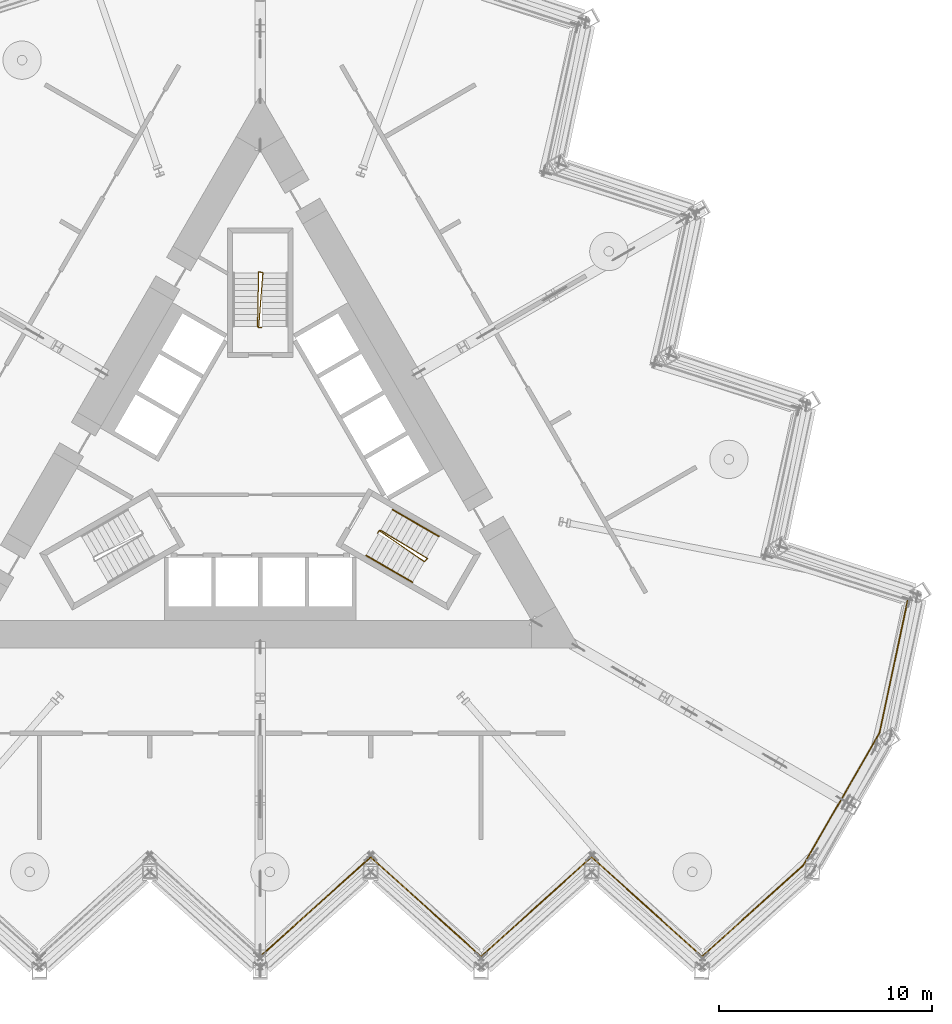
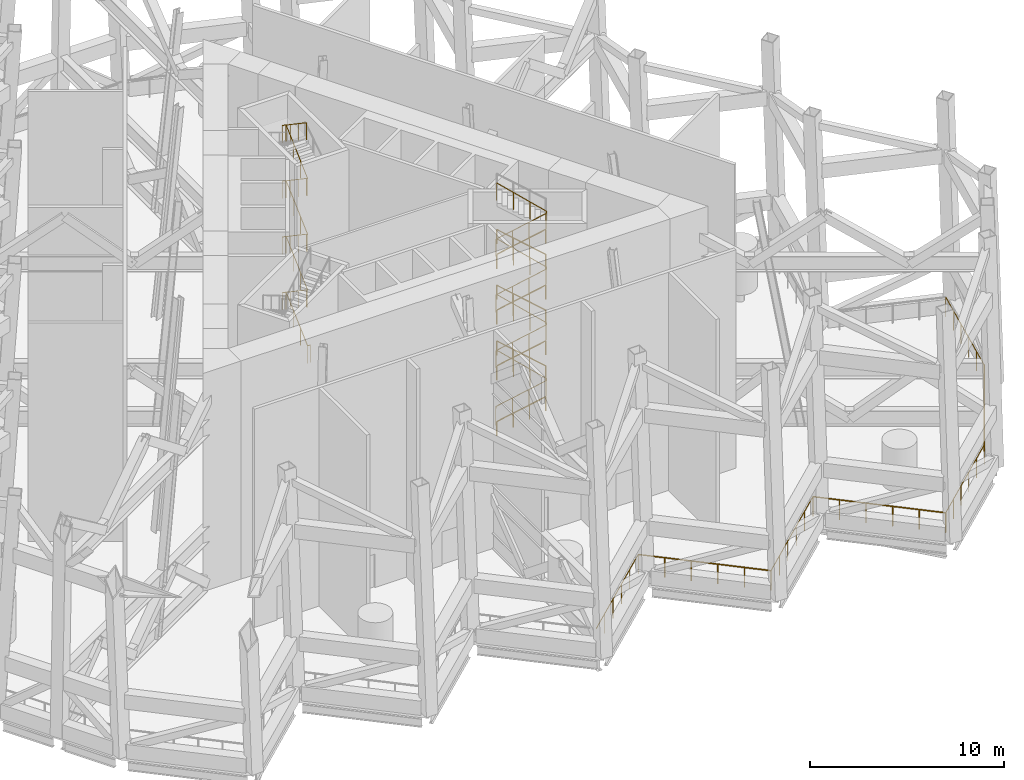
# One storey, part 17 of 19: 17 railings.
"""IFC4 building model written with IfcOpenShell, lengths in metres."""

from ifc_helpers import new_model, si_unit, direction, frame, origin, origin_2d, place, context, subcontext, project, spatial, circle, extrude, material, type_object, element, save


model = new_model("IFC4")

# Units and contexts
model_context = context("Model", 3, precision=1e-05, world=origin(), true_north=direction((0.0, 1.0)))
body_context = subcontext(model_context, "Body", "Model", "MODEL_VIEW")
ifc_project = project(units=[si_unit("LENGTHUNIT", "METRE"), si_unit("AREAUNIT", "SQUARE_METRE"), si_unit("VOLUMEUNIT", "CUBIC_METRE"), si_unit("PLANEANGLEUNIT", "RADIAN"), si_unit("MASSUNIT", "GRAM", prefix="KILO")], contexts=[model_context])

# Site, building, storey
site_placement = place(None, origin())
site = spatial("IfcSite", under=ifc_project, at=site_placement, CompositionType="ELEMENT")
building_placement = place(site_placement, origin())
building = spatial("IfcBuilding", under=site, at=building_placement, Name="Cormorant Prow Tower", CompositionType="ELEMENT")
storey_placement = place(building_placement, frame((0.0, 0.0, 287.800048828125)))
storey = spatial("IfcBuildingStorey", under=building, at=storey_placement, Name="L64", CompositionType="ELEMENT", Elevation=287.800048828125)

# Railings
ifc_material_1 = material(Name="Stainless steel", Category="steel")
railing_type_1 = type_object("IfcRailingType", Name="Stair guard 1100", PredefinedType="GUARDRAIL", material=ifc_material_1)
railing_1_placement = place(storey_placement, frame((5.510009765625, -3.267822265625, 0.0)))
element("IfcRailing", 1, at=railing_1_placement, inside=storey, type_object=railing_type_1, Name="L64 ST2 stair guard 1", PredefinedType="GUARDRAIL", context=body_context, shape_type="SweptSolid", body=[
    extrude(circle(Radius=0.02392578125, at=origin_2d()), frame((0.0, 0.0, 1.076171875), z_axis=(0.501036270542, 0.865426285481, 0.0), x_axis=(-0.865426285481, 0.501036270542, 0.0)), (0.0, 0.0, 1.0), 0.150146484375),
    extrude(circle(Radius=0.02392578125, at=origin_2d()), frame((0.0751953125, 0.1298828125, 1.076171875), z_axis=(0.682217615739, -0.468054883851, 0.561697205332), x_axis=(0.565732651216, 0.824588726183, 0.0)), (0.0, 0.0, 1.0), 3.115478515625),
    extrude(circle(Radius=0.02392578125, at=origin_2d()), frame((2.20068359375, -1.328369140625, 2.826171875), z_axis=(0.695164929852, 0.718850276695, 0.0), x_axis=(-0.718850276695, 0.695164929852, 0.0)), (0.0, 0.0, 1.0), 0.2060546875),
    extrude(circle(Radius=0.02392578125, at=origin_2d()), frame((2.343994140625, -1.18017578125, 2.826171875), z_axis=(-0.7076894686, 0.427173108348, 0.562759941305), x_axis=(-0.516770599887, -0.856123908726, 0.0)), (0.0, 0.0, 1.0), 3.109619140625),
    extrude(circle(Radius=0.02392578125, at=origin_2d()), frame((0.143310546875, 0.148193359375, 4.576171875), z_axis=(-0.965715946433, -0.259601060869, 0.0), x_axis=(0.259601060869, -0.965715946433, 0.0)), (0.0, 0.0, 1.0), 0.070556640625),
    extrude(circle(Radius=0.02392578125, at=origin_2d()), frame((0.0751953125, 0.1298828125, 4.576171875), z_axis=(0.682217615739, -0.468054883851, 0.561697205332), x_axis=(0.565732651216, 0.824588726183, 0.0)), (0.0, 0.0, 1.0), 3.115478515625),
    extrude(circle(Radius=0.02392578125, at=origin_2d()), frame((2.20068359375, -1.328369140625, 6.326171875), z_axis=(0.695164929852, 0.718850276695, 0.0), x_axis=(-0.718850276695, 0.695164929852, 0.0)), (0.0, 0.0, 1.0), 0.2060546875),
    extrude(circle(Radius=0.02392578125, at=origin_2d()), frame((2.343994140625, -1.18017578125, 6.326171875), z_axis=(-0.7076894686, 0.427173108348, 0.562759941305), x_axis=(-0.516770599887, -0.856123908726, 0.0)), (0.0, 0.0, 1.0), 3.109619140625),
    extrude(circle(Radius=0.02392578125, at=origin_2d()), frame((0.143310546875, 0.148193359375, 8.076171875), z_axis=(-0.965715946433, -0.259601060869, 0.0), x_axis=(0.259601060869, -0.965715946433, 0.0)), (0.0, 0.0, 1.0), 0.070556640625),
    extrude(circle(Radius=0.02392578125, at=origin_2d()), frame((0.0751953125, 0.1298828125, 8.076171875), z_axis=(0.682217615739, -0.468054883851, 0.561697205332), x_axis=(0.565732651216, 0.824588726183, 0.0)), (0.0, 0.0, 1.0), 3.115478515625),
    extrude(circle(Radius=0.02392578125, at=origin_2d()), frame((2.20068359375, -1.328369140625, 9.826171875), z_axis=(0.695164929852, 0.718850276695, 0.0), x_axis=(-0.718850276695, 0.695164929852, 0.0)), (0.0, 0.0, 1.0), 0.2060546875),
    extrude(circle(Radius=0.02392578125, at=origin_2d()), frame((2.343994140625, -1.18017578125, 9.826171875), z_axis=(-0.7076894686, 0.427173108348, 0.562759941305), x_axis=(-0.516770599887, -0.856123908726, 0.0)), (0.0, 0.0, 1.0), 3.109619140625),
    extrude(circle(Radius=0.02392578125, at=origin_2d()), frame((0.143310546875, 0.148193359375, 11.576171875), z_axis=(-0.965715946433, -0.259601060869, 0.0), x_axis=(0.259601060869, -0.965715946433, 0.0)), (0.0, 0.0, 1.0), 0.070556640625),
    extrude(circle(Radius=0.02392578125, at=origin_2d()), frame((0.0751953125, 0.1298828125, 11.576171875), z_axis=(0.682217615739, -0.468054883851, 0.561697205332), x_axis=(0.565732651216, 0.824588726183, 0.0)), (0.0, 0.0, 1.0), 3.115478515625),
    extrude(circle(Radius=0.02392578125, at=origin_2d()), frame((2.20068359375, -1.328369140625, 13.326171875), z_axis=(0.695164929852, 0.718850276695, 0.0), x_axis=(-0.718850276695, 0.695164929852, 0.0)), (0.0, 0.0, 1.0), 0.2060546875),
    extrude(circle(Radius=0.02392578125, at=origin_2d()), frame((2.343994140625, -1.18017578125, 13.326171875), z_axis=(-0.7076894686, 0.427173108348, 0.562759941305), x_axis=(-0.516770599887, -0.856123908726, 0.0)), (0.0, 0.0, 1.0), 3.109619140625),
    extrude(circle(Radius=0.02099609375, at=origin_2d()), origin(), (0.0, 0.0, 1.0), 1.052001953125),
    extrude(circle(Radius=0.02099609375, at=origin_2d()), frame((0.0751953125, 0.1298828125, 0.0)), (0.0, 0.0, 1.0), 1.052001953125),
    extrude(circle(Radius=0.02099609375, at=origin_2d()), frame((0.78369140625, -0.356201171875, 0.583251953125)), (0.0, 0.0, 1.0), 1.052001953125),
    extrude(circle(Radius=0.02099609375, at=origin_2d()), frame((1.4921875, -0.84228515625, 1.166748046875)), (0.0, 0.0, 1.0), 1.052001953125),
    extrude(circle(Radius=0.02099609375, at=origin_2d()), frame((2.20068359375, -1.328369140625, 1.75)), (0.0, 0.0, 1.0), 1.052001953125),
    extrude(circle(Radius=0.02099609375, at=origin_2d()), frame((2.343994140625, -1.18017578125, 1.75)), (0.0, 0.0, 1.0), 1.052001953125),
    extrude(circle(Radius=0.02099609375, at=origin_2d()), frame((1.6103515625, -0.7373046875, 2.333251953125)), (0.0, 0.0, 1.0), 1.052001953125),
    extrude(circle(Radius=0.02099609375, at=origin_2d()), frame((0.876953125, -0.294677734375, 2.916748046875)), (0.0, 0.0, 1.0), 1.052001953125),
    extrude(circle(Radius=0.02099609375, at=origin_2d()), frame((0.143310546875, 0.148193359375, 3.5)), (0.0, 0.0, 1.0), 1.052001953125),
    extrude(circle(Radius=0.02099609375, at=origin_2d()), frame((0.0751953125, 0.1298828125, 3.5)), (0.0, 0.0, 1.0), 1.052001953125),
    extrude(circle(Radius=0.02099609375, at=origin_2d()), frame((0.78369140625, -0.356201171875, 4.083251953125)), (0.0, 0.0, 1.0), 1.052001953125),
    extrude(circle(Radius=0.02099609375, at=origin_2d()), frame((1.4921875, -0.84228515625, 4.666748046875)), (0.0, 0.0, 1.0), 1.052001953125),
    extrude(circle(Radius=0.02099609375, at=origin_2d()), frame((2.20068359375, -1.328369140625, 5.25)), (0.0, 0.0, 1.0), 1.052001953125),
    extrude(circle(Radius=0.02099609375, at=origin_2d()), frame((2.343994140625, -1.18017578125, 5.25)), (0.0, 0.0, 1.0), 1.052001953125),
    extrude(circle(Radius=0.02099609375, at=origin_2d()), frame((1.6103515625, -0.7373046875, 5.833251953125)), (0.0, 0.0, 1.0), 1.052001953125),
    extrude(circle(Radius=0.02099609375, at=origin_2d()), frame((0.876953125, -0.294677734375, 6.416748046875)), (0.0, 0.0, 1.0), 1.052001953125),
    extrude(circle(Radius=0.02099609375, at=origin_2d()), frame((0.143310546875, 0.148193359375, 7.0)), (0.0, 0.0, 1.0), 1.052001953125),
    extrude(circle(Radius=0.02099609375, at=origin_2d()), frame((0.0751953125, 0.1298828125, 7.0)), (0.0, 0.0, 1.0), 1.052001953125),
    extrude(circle(Radius=0.02099609375, at=origin_2d()), frame((0.78369140625, -0.356201171875, 7.583251953125)), (0.0, 0.0, 1.0), 1.052001953125),
    extrude(circle(Radius=0.02099609375, at=origin_2d()), frame((1.4921875, -0.84228515625, 8.166748046875)), (0.0, 0.0, 1.0), 1.052001953125),
    extrude(circle(Radius=0.02099609375, at=origin_2d()), frame((2.20068359375, -1.328369140625, 8.75)), (0.0, 0.0, 1.0), 1.052001953125),
    extrude(circle(Radius=0.02099609375, at=origin_2d()), frame((2.343994140625, -1.18017578125, 8.75)), (0.0, 0.0, 1.0), 1.052001953125),
    extrude(circle(Radius=0.02099609375, at=origin_2d()), frame((1.6103515625, -0.7373046875, 9.333251953125)), (0.0, 0.0, 1.0), 1.052001953125),
    extrude(circle(Radius=0.02099609375, at=origin_2d()), frame((0.876953125, -0.294677734375, 9.916748046875)), (0.0, 0.0, 1.0), 1.052001953125),
    extrude(circle(Radius=0.02099609375, at=origin_2d()), frame((0.143310546875, 0.148193359375, 10.5)), (0.0, 0.0, 1.0), 1.052001953125),
    extrude(circle(Radius=0.02099609375, at=origin_2d()), frame((0.0751953125, 0.1298828125, 10.5)), (0.0, 0.0, 1.0), 1.052001953125),
    extrude(circle(Radius=0.02099609375, at=origin_2d()), frame((0.78369140625, -0.356201171875, 11.083251953125)), (0.0, 0.0, 1.0), 1.052001953125),
    extrude(circle(Radius=0.02099609375, at=origin_2d()), frame((1.4921875, -0.84228515625, 11.666748046875)), (0.0, 0.0, 1.0), 1.052001953125),
    extrude(circle(Radius=0.02099609375, at=origin_2d()), frame((2.20068359375, -1.328369140625, 12.25)), (0.0, 0.0, 1.0), 1.052001953125),
    extrude(circle(Radius=0.02099609375, at=origin_2d()), frame((2.343994140625, -1.18017578125, 12.25)), (0.0, 0.0, 1.0), 1.052001953125),
    extrude(circle(Radius=0.02099609375, at=origin_2d()), frame((1.6103515625, -0.7373046875, 12.833251953125)), (0.0, 0.0, 1.0), 1.052001953125),
    extrude(circle(Radius=0.02099609375, at=origin_2d()), frame((0.876953125, -0.294677734375, 13.416748046875)), (0.0, 0.0, 1.0), 1.052001953125),
    extrude(circle(Radius=0.02099609375, at=origin_2d()), frame((0.143310546875, 0.148193359375, 14.0)), (0.0, 0.0, 1.0), 1.052001953125),
])
railing_2_placement = place(storey_placement, frame((0.074951171875, 6.40576171875, 0.0)))
element("IfcRailing", 2, at=railing_2_placement, inside=storey, type_object=railing_type_1, Name="L64 ST3 stair guard 1", PredefinedType="GUARDRAIL", context=body_context, shape_type="SweptSolid", body=[
    extrude(circle(Radius=0.02392578125, at=origin_2d()), frame((0.0, 0.0, 1.076171875), z_axis=(-1.0, 0.0, 0.0), x_axis=(0.0, -1.0, 0.0)), (0.0, 0.0, 1.0), 0.14990234375),
    extrude(circle(Radius=0.02392578125, at=origin_2d()), frame((-0.14990234375, 0.0, 1.076171875), z_axis=(0.064174880426, 0.824870532658, 0.561667329542), x_axis=(-0.996987254287, 0.077565551559, 0.0)), (0.0, 0.0, 1.0), 3.11572265625),
    extrude(circle(Radius=0.02392578125, at=origin_2d()), frame((0.050048828125, 2.570068359375, 2.826171875), z_axis=(-0.970072785993, 0.242814311512, 0.0), x_axis=(-0.242814311512, -0.970072785993, 0.0)), (0.0, 0.0, 1.0), 0.2060546875),
    extrude(circle(Radius=0.02392578125, at=origin_2d()), frame((-0.14990234375, 2.6201171875, 2.826171875), z_axis=(-0.01609440485, -0.826467316365, 0.562754604702), x_axis=(0.999810440751, -0.019470042781, 0.0)), (0.0, 0.0, 1.0), 3.109619140625),
    extrude(circle(Radius=0.02392578125, at=origin_2d()), frame((-0.199951171875, 0.050048828125, 4.576171875), z_axis=(0.707106781187, -0.707106781187, 0.0), x_axis=(0.707106781187, 0.707106781187, 0.0)), (0.0, 0.0, 1.0), 0.07080078125),
    extrude(circle(Radius=0.02392578125, at=origin_2d()), frame((-0.14990234375, 0.0, 4.576171875), z_axis=(0.064174880426, 0.824870532658, 0.561667329542), x_axis=(-0.996987254287, 0.077565551559, 0.0)), (0.0, 0.0, 1.0), 3.11572265625),
    extrude(circle(Radius=0.02392578125, at=origin_2d()), frame((0.050048828125, 2.570068359375, 6.326171875), z_axis=(-0.970072785993, 0.242814311512, 0.0), x_axis=(-0.242814311512, -0.970072785993, 0.0)), (0.0, 0.0, 1.0), 0.2060546875),
    extrude(circle(Radius=0.02392578125, at=origin_2d()), frame((-0.14990234375, 2.6201171875, 6.326171875), z_axis=(-0.01609440485, -0.826467316365, 0.562754604702), x_axis=(0.999810440751, -0.019470042781, 0.0)), (0.0, 0.0, 1.0), 3.109619140625),
    extrude(circle(Radius=0.02392578125, at=origin_2d()), frame((-0.199951171875, 0.050048828125, 8.076171875), z_axis=(0.707106781187, -0.707106781187, 0.0), x_axis=(0.707106781187, 0.707106781187, 0.0)), (0.0, 0.0, 1.0), 0.07080078125),
    extrude(circle(Radius=0.02392578125, at=origin_2d()), frame((-0.14990234375, 0.0, 8.076171875), z_axis=(0.064174880426, 0.824870532658, 0.561667329542), x_axis=(-0.996987254287, 0.077565551559, 0.0)), (0.0, 0.0, 1.0), 3.11572265625),
    extrude(circle(Radius=0.02392578125, at=origin_2d()), frame((0.050048828125, 2.570068359375, 9.826171875), z_axis=(-0.970072785993, 0.242814311512, 0.0), x_axis=(-0.242814311512, -0.970072785993, 0.0)), (0.0, 0.0, 1.0), 0.2060546875),
    extrude(circle(Radius=0.02392578125, at=origin_2d()), frame((-0.14990234375, 2.6201171875, 9.826171875), z_axis=(-0.01609440485, -0.826467316365, 0.562754604702), x_axis=(0.999810440751, -0.019470042781, 0.0)), (0.0, 0.0, 1.0), 3.109619140625),
    extrude(circle(Radius=0.02392578125, at=origin_2d()), frame((-0.199951171875, 0.050048828125, 11.576171875), z_axis=(0.707106781187, -0.707106781187, 0.0), x_axis=(0.707106781187, 0.707106781187, 0.0)), (0.0, 0.0, 1.0), 0.07080078125),
    extrude(circle(Radius=0.02392578125, at=origin_2d()), frame((-0.14990234375, 0.0, 11.576171875), z_axis=(0.064174880426, 0.824870532658, 0.561667329542), x_axis=(-0.996987254287, 0.077565551559, 0.0)), (0.0, 0.0, 1.0), 3.11572265625),
    extrude(circle(Radius=0.02392578125, at=origin_2d()), frame((0.050048828125, 2.570068359375, 13.326171875), z_axis=(-0.970072785993, 0.242814311512, 0.0), x_axis=(-0.242814311512, -0.970072785993, 0.0)), (0.0, 0.0, 1.0), 0.2060546875),
    extrude(circle(Radius=0.02392578125, at=origin_2d()), frame((-0.14990234375, 2.6201171875, 13.326171875), z_axis=(-0.01609440485, -0.826467316365, 0.562754604702), x_axis=(0.999810440751, -0.019470042781, 0.0)), (0.0, 0.0, 1.0), 3.109619140625),
    extrude(circle(Radius=0.02099609375, at=origin_2d()), origin(), (0.0, 0.0, 1.0), 1.052001953125),
    extrude(circle(Radius=0.02099609375, at=origin_2d()), frame((-0.14990234375, 0.0, 0.0)), (0.0, 0.0, 1.0), 1.052001953125),
    extrude(circle(Radius=0.02099609375, at=origin_2d()), frame((-0.083251953125, 0.856689453125, 0.583251953125)), (0.0, 0.0, 1.0), 1.052001953125),
    extrude(circle(Radius=0.02099609375, at=origin_2d()), frame((-0.0166015625, 1.71337890625, 1.166748046875)), (0.0, 0.0, 1.0), 1.052001953125),
    extrude(circle(Radius=0.02099609375, at=origin_2d()), frame((0.050048828125, 2.570068359375, 1.75)), (0.0, 0.0, 1.0), 1.052001953125),
    extrude(circle(Radius=0.02099609375, at=origin_2d()), frame((-0.14990234375, 2.6201171875, 1.75)), (0.0, 0.0, 1.0), 1.052001953125),
    extrude(circle(Radius=0.02099609375, at=origin_2d()), frame((-0.16650390625, 1.763427734375, 2.333251953125)), (0.0, 0.0, 1.0), 1.052001953125),
    extrude(circle(Radius=0.02099609375, at=origin_2d()), frame((-0.183349609375, 0.90673828125, 2.916748046875)), (0.0, 0.0, 1.0), 1.052001953125),
    extrude(circle(Radius=0.02099609375, at=origin_2d()), frame((-0.199951171875, 0.050048828125, 3.5)), (0.0, 0.0, 1.0), 1.052001953125),
    extrude(circle(Radius=0.02099609375, at=origin_2d()), frame((-0.14990234375, 0.0, 3.5)), (0.0, 0.0, 1.0), 1.052001953125),
    extrude(circle(Radius=0.02099609375, at=origin_2d()), frame((-0.083251953125, 0.856689453125, 4.083251953125)), (0.0, 0.0, 1.0), 1.052001953125),
    extrude(circle(Radius=0.02099609375, at=origin_2d()), frame((-0.0166015625, 1.71337890625, 4.666748046875)), (0.0, 0.0, 1.0), 1.052001953125),
    extrude(circle(Radius=0.02099609375, at=origin_2d()), frame((0.050048828125, 2.570068359375, 5.25)), (0.0, 0.0, 1.0), 1.052001953125),
    extrude(circle(Radius=0.02099609375, at=origin_2d()), frame((-0.14990234375, 2.6201171875, 5.25)), (0.0, 0.0, 1.0), 1.052001953125),
    extrude(circle(Radius=0.02099609375, at=origin_2d()), frame((-0.16650390625, 1.763427734375, 5.833251953125)), (0.0, 0.0, 1.0), 1.052001953125),
    extrude(circle(Radius=0.02099609375, at=origin_2d()), frame((-0.183349609375, 0.90673828125, 6.416748046875)), (0.0, 0.0, 1.0), 1.052001953125),
    extrude(circle(Radius=0.02099609375, at=origin_2d()), frame((-0.199951171875, 0.050048828125, 7.0)), (0.0, 0.0, 1.0), 1.052001953125),
    extrude(circle(Radius=0.02099609375, at=origin_2d()), frame((-0.14990234375, 0.0, 7.0)), (0.0, 0.0, 1.0), 1.052001953125),
    extrude(circle(Radius=0.02099609375, at=origin_2d()), frame((-0.083251953125, 0.856689453125, 7.583251953125)), (0.0, 0.0, 1.0), 1.052001953125),
    extrude(circle(Radius=0.02099609375, at=origin_2d()), frame((-0.0166015625, 1.71337890625, 8.166748046875)), (0.0, 0.0, 1.0), 1.052001953125),
    extrude(circle(Radius=0.02099609375, at=origin_2d()), frame((0.050048828125, 2.570068359375, 8.75)), (0.0, 0.0, 1.0), 1.052001953125),
    extrude(circle(Radius=0.02099609375, at=origin_2d()), frame((-0.14990234375, 2.6201171875, 8.75)), (0.0, 0.0, 1.0), 1.052001953125),
    extrude(circle(Radius=0.02099609375, at=origin_2d()), frame((-0.16650390625, 1.763427734375, 9.333251953125)), (0.0, 0.0, 1.0), 1.052001953125),
    extrude(circle(Radius=0.02099609375, at=origin_2d()), frame((-0.183349609375, 0.90673828125, 9.916748046875)), (0.0, 0.0, 1.0), 1.052001953125),
    extrude(circle(Radius=0.02099609375, at=origin_2d()), frame((-0.199951171875, 0.050048828125, 10.5)), (0.0, 0.0, 1.0), 1.052001953125),
    extrude(circle(Radius=0.02099609375, at=origin_2d()), frame((-0.14990234375, 0.0, 10.5)), (0.0, 0.0, 1.0), 1.052001953125),
    extrude(circle(Radius=0.02099609375, at=origin_2d()), frame((-0.083251953125, 0.856689453125, 11.083251953125)), (0.0, 0.0, 1.0), 1.052001953125),
    extrude(circle(Radius=0.02099609375, at=origin_2d()), frame((-0.0166015625, 1.71337890625, 11.666748046875)), (0.0, 0.0, 1.0), 1.052001953125),
    extrude(circle(Radius=0.02099609375, at=origin_2d()), frame((0.050048828125, 2.570068359375, 12.25)), (0.0, 0.0, 1.0), 1.052001953125),
    extrude(circle(Radius=0.02099609375, at=origin_2d()), frame((-0.14990234375, 2.6201171875, 12.25)), (0.0, 0.0, 1.0), 1.052001953125),
    extrude(circle(Radius=0.02099609375, at=origin_2d()), frame((-0.16650390625, 1.763427734375, 12.833251953125)), (0.0, 0.0, 1.0), 1.052001953125),
    extrude(circle(Radius=0.02099609375, at=origin_2d()), frame((-0.183349609375, 0.90673828125, 13.416748046875)), (0.0, 0.0, 1.0), 1.052001953125),
    extrude(circle(Radius=0.02099609375, at=origin_2d()), frame((-0.199951171875, 0.050048828125, 14.0)), (0.0, 0.0, 1.0), 1.052001953125),
])
ifc_material_2 = material(Name="Stainless steel", Category="steel")
railing_type_2 = type_object("IfcRailingType", Name="Stair handrail 900", PredefinedType="HANDRAIL", material=ifc_material_2)
railing_3_placement = place(storey_placement, frame((4.968994140625, -4.30517578125, 0.175048828125)))
element("IfcRailing", 3, at=railing_3_placement, inside=storey, type_object=railing_type_2, Name="L64 ST2 stair handrail 1", PredefinedType="HANDRAIL", context=body_context, shape_type="SweptSolid", body=[
    extrude(circle(Radius=0.02392578125, at=origin_2d()), frame((0.0, 0.0, 0.8759765625), z_axis=(0.73439174503, -0.42400668935, 0.529987822708), x_axis=(0.500004791531, 0.866022637375, 0.0)), (0.0, 0.0, 1.0), 2.9716796875),
    extrude(circle(Radius=0.02099609375, at=origin_2d()), origin(), (0.0, 0.0, 1.0), 0.851806640625),
    extrude(circle(Radius=0.02099609375, at=origin_2d()), frame((0.7275390625, -0.419921875, 0.52490234375)), (0.0, 0.0, 1.0), 0.851806640625),
    extrude(circle(Radius=0.02099609375, at=origin_2d()), frame((1.454833984375, -0.840087890625, 1.050048828125)), (0.0, 0.0, 1.0), 0.851806640625),
    extrude(circle(Radius=0.02099609375, at=origin_2d()), frame((2.182373046875, -1.260009765625, 1.574951171875)), (0.0, 0.0, 1.0), 0.851806640625),
])
railing_4_placement = place(storey_placement, frame((8.395263671875, -3.41064453125, 1.925048828125)))
element("IfcRailing", 4, at=railing_4_placement, inside=storey, type_object=railing_type_2, Name="L64 ST2 stair handrail 2", PredefinedType="HANDRAIL", context=body_context, shape_type="SweptSolid", body=[
    extrude(circle(Radius=0.02392578125, at=origin_2d()), frame((0.0, 0.0, 0.8759765625), z_axis=(-0.73439174503, 0.42400668935, 0.529987822708), x_axis=(-0.500004791531, -0.866022637375, 0.0)), (0.0, 0.0, 1.0), 2.9716796875),
    extrude(circle(Radius=0.02099609375, at=origin_2d()), origin(), (0.0, 0.0, 1.0), 0.851806640625),
    extrude(circle(Radius=0.02099609375, at=origin_2d()), frame((-0.7275390625, 0.419921875, 0.52490234375)), (0.0, 0.0, 1.0), 0.851806640625),
    extrude(circle(Radius=0.02099609375, at=origin_2d()), frame((-1.454833984375, 0.840087890625, 1.050048828125)), (0.0, 0.0, 1.0), 0.851806640625),
    extrude(circle(Radius=0.02099609375, at=origin_2d()), frame((-2.182373046875, 1.260009765625, 1.574951171875)), (0.0, 0.0, 1.0), 0.851806640625),
])
railing_5_placement = place(storey_placement, frame((4.968994140625, -4.30517578125, 3.675048828125)))
element("IfcRailing", 5, at=railing_5_placement, inside=storey, type_object=railing_type_2, Name="L64 ST2 stair handrail 3", PredefinedType="HANDRAIL", context=body_context, shape_type="SweptSolid", body=[
    extrude(circle(Radius=0.02392578125, at=origin_2d()), frame((0.0, 0.0, 0.8759765625), z_axis=(0.73439174503, -0.42400668935, 0.529987822708), x_axis=(0.500004791531, 0.866022637375, 0.0)), (0.0, 0.0, 1.0), 2.9716796875),
    extrude(circle(Radius=0.02099609375, at=origin_2d()), origin(), (0.0, 0.0, 1.0), 0.851806640625),
    extrude(circle(Radius=0.02099609375, at=origin_2d()), frame((0.7275390625, -0.419921875, 0.52490234375)), (0.0, 0.0, 1.0), 0.851806640625),
    extrude(circle(Radius=0.02099609375, at=origin_2d()), frame((1.454833984375, -0.840087890625, 1.050048828125)), (0.0, 0.0, 1.0), 0.851806640625),
    extrude(circle(Radius=0.02099609375, at=origin_2d()), frame((2.182373046875, -1.260009765625, 1.574951171875)), (0.0, 0.0, 1.0), 0.851806640625),
])
railing_6_placement = place(storey_placement, frame((8.395263671875, -3.41064453125, 5.425048828125)))
element("IfcRailing", 6, at=railing_6_placement, inside=storey, type_object=railing_type_2, Name="L64 ST2 stair handrail 4", PredefinedType="HANDRAIL", context=body_context, shape_type="SweptSolid", body=[
    extrude(circle(Radius=0.02392578125, at=origin_2d()), frame((0.0, 0.0, 0.8759765625), z_axis=(-0.73439174503, 0.42400668935, 0.529987822708), x_axis=(-0.500004791531, -0.866022637375, 0.0)), (0.0, 0.0, 1.0), 2.9716796875),
    extrude(circle(Radius=0.02099609375, at=origin_2d()), origin(), (0.0, 0.0, 1.0), 0.851806640625),
    extrude(circle(Radius=0.02099609375, at=origin_2d()), frame((-0.7275390625, 0.419921875, 0.52490234375)), (0.0, 0.0, 1.0), 0.851806640625),
    extrude(circle(Radius=0.02099609375, at=origin_2d()), frame((-1.454833984375, 0.840087890625, 1.050048828125)), (0.0, 0.0, 1.0), 0.851806640625),
    extrude(circle(Radius=0.02099609375, at=origin_2d()), frame((-2.182373046875, 1.260009765625, 1.574951171875)), (0.0, 0.0, 1.0), 0.851806640625),
])
railing_7_placement = place(storey_placement, frame((4.968994140625, -4.30517578125, 7.175048828125)))
element("IfcRailing", 7, at=railing_7_placement, inside=storey, type_object=railing_type_2, Name="L64 ST2 stair handrail 5", PredefinedType="HANDRAIL", context=body_context, shape_type="SweptSolid", body=[
    extrude(circle(Radius=0.02392578125, at=origin_2d()), frame((0.0, 0.0, 0.8759765625), z_axis=(0.73439174503, -0.42400668935, 0.529987822708), x_axis=(0.500004791531, 0.866022637375, 0.0)), (0.0, 0.0, 1.0), 2.9716796875),
    extrude(circle(Radius=0.02099609375, at=origin_2d()), origin(), (0.0, 0.0, 1.0), 0.851806640625),
    extrude(circle(Radius=0.02099609375, at=origin_2d()), frame((0.7275390625, -0.419921875, 0.52490234375)), (0.0, 0.0, 1.0), 0.851806640625),
    extrude(circle(Radius=0.02099609375, at=origin_2d()), frame((1.454833984375, -0.840087890625, 1.050048828125)), (0.0, 0.0, 1.0), 0.851806640625),
    extrude(circle(Radius=0.02099609375, at=origin_2d()), frame((2.182373046875, -1.260009765625, 1.574951171875)), (0.0, 0.0, 1.0), 0.851806640625),
])
railing_8_placement = place(storey_placement, frame((8.395263671875, -3.41064453125, 8.925048828125)))
element("IfcRailing", 8, at=railing_8_placement, inside=storey, type_object=railing_type_2, Name="L64 ST2 stair handrail 6", PredefinedType="HANDRAIL", context=body_context, shape_type="SweptSolid", body=[
    extrude(circle(Radius=0.02392578125, at=origin_2d()), frame((0.0, 0.0, 0.8759765625), z_axis=(-0.73439174503, 0.42400668935, 0.529987822708), x_axis=(-0.500004791531, -0.866022637375, 0.0)), (0.0, 0.0, 1.0), 2.9716796875),
    extrude(circle(Radius=0.02099609375, at=origin_2d()), origin(), (0.0, 0.0, 1.0), 0.851806640625),
    extrude(circle(Radius=0.02099609375, at=origin_2d()), frame((-0.7275390625, 0.419921875, 0.52490234375)), (0.0, 0.0, 1.0), 0.851806640625),
    extrude(circle(Radius=0.02099609375, at=origin_2d()), frame((-1.454833984375, 0.840087890625, 1.050048828125)), (0.0, 0.0, 1.0), 0.851806640625),
    extrude(circle(Radius=0.02099609375, at=origin_2d()), frame((-2.182373046875, 1.260009765625, 1.574951171875)), (0.0, 0.0, 1.0), 0.851806640625),
])
railing_9_placement = place(storey_placement, frame((4.968994140625, -4.30517578125, 10.675048828125)))
element("IfcRailing", 9, at=railing_9_placement, inside=storey, type_object=railing_type_2, Name="L64 ST2 stair handrail 7", PredefinedType="HANDRAIL", context=body_context, shape_type="SweptSolid", body=[
    extrude(circle(Radius=0.02392578125, at=origin_2d()), frame((0.0, 0.0, 0.8759765625), z_axis=(0.73439174503, -0.42400668935, 0.529987822708), x_axis=(0.500004791531, 0.866022637375, 0.0)), (0.0, 0.0, 1.0), 2.9716796875),
    extrude(circle(Radius=0.02099609375, at=origin_2d()), origin(), (0.0, 0.0, 1.0), 0.851806640625),
    extrude(circle(Radius=0.02099609375, at=origin_2d()), frame((0.7275390625, -0.419921875, 0.52490234375)), (0.0, 0.0, 1.0), 0.851806640625),
    extrude(circle(Radius=0.02099609375, at=origin_2d()), frame((1.454833984375, -0.840087890625, 1.050048828125)), (0.0, 0.0, 1.0), 0.851806640625),
    extrude(circle(Radius=0.02099609375, at=origin_2d()), frame((2.182373046875, -1.260009765625, 1.574951171875)), (0.0, 0.0, 1.0), 0.851806640625),
])
ifc_material_3 = material(Name="Aluminium 6063-T6", Category="aluminium")
railing_type_3 = type_object("IfcRailingType", Name="Wind deck guard 1250", PredefinedType="GUARDRAIL", material=ifc_material_3)
railing_10_placement = place(storey_placement, frame((30.422119140625, -6.399169921875, 0.0)))
element("IfcRailing", 10, at=railing_10_placement, inside=storey, type_object=railing_type_3, Name="Wind deck edge guard 23", PredefinedType="GUARDRAIL", context=body_context, shape_type="SweptSolid", body=[
    extrude(circle(Radius=0.02392578125, at=origin_2d()), frame((0.0, 0.0, 1.22607421875), z_axis=(-0.207892521926, -0.978151675011, 0.0), x_axis=(0.978151675011, -0.207892521926, 0.0)), (0.0, 0.0, 1.0), 6.399169921875),
    extrude(circle(Radius=0.02099609375, at=origin_2d()), origin(), (0.0, 0.0, 1.0), 1.201904296875),
    extrude(circle(Radius=0.02099609375, at=origin_2d()), frame((-0.26611328125, -1.251953125, 0.0)), (0.0, 0.0, 1.0), 1.201904296875),
    extrude(circle(Radius=0.02099609375, at=origin_2d()), frame((-0.5322265625, -2.503662109375, 0.0)), (0.0, 0.0, 1.0), 1.201904296875),
    extrude(circle(Radius=0.02099609375, at=origin_2d()), frame((-0.798095703125, -3.755615234375, 0.0)), (0.0, 0.0, 1.0), 1.201904296875),
    extrude(circle(Radius=0.02099609375, at=origin_2d()), frame((-1.064208984375, -5.00732421875, 0.0)), (0.0, 0.0, 1.0), 1.201904296875),
])
for number, where, name in (
    (11, (29.091796875, -12.658447265625, 0.0), "Wind deck edge guard 24"),
    (12, (27.300048828125, -15.76171875, 0.0), "Wind deck edge guard 25"),
):
    element("IfcRailing", number, at=place(storey_placement, frame(where)), inside=storey, type_object=railing_type_3, Name=name, PredefinedType="GUARDRAIL", context=body_context, shape_type="SweptSolid", body=[
        extrude(circle(Radius=0.02392578125, at=origin_2d()), frame((0.0, 0.0, 1.22607421875), z_axis=(-0.500015366673, -0.86601653165, 0.0), x_axis=(0.86601653165, -0.500015366673, 0.0)), (0.0, 0.0, 1.0), 3.58349609375),
        extrude(circle(Radius=0.02099609375, at=origin_2d()), origin(), (0.0, 0.0, 1.0), 1.201904296875),
        extrude(circle(Radius=0.02099609375, at=origin_2d()), frame((-0.59716796875, -1.034423828125, 0.0)), (0.0, 0.0, 1.0), 1.201904296875),
        extrude(circle(Radius=0.02099609375, at=origin_2d()), frame((-1.194580078125, -2.06884765625, 0.0)), (0.0, 0.0, 1.0), 1.201904296875),
    ])
railing_11_placement = place(storey_placement, frame((25.50830078125, -18.864990234375, 0.0)))
element("IfcRailing", 13, at=railing_11_placement, inside=storey, type_object=railing_type_3, Name="Wind deck edge guard 26", PredefinedType="GUARDRAIL", context=body_context, shape_type="SweptSolid", body=[
    extrude(circle(Radius=0.02392578125, at=origin_2d()), frame((0.0, 0.0, 1.22607421875), z_axis=(-0.743146153042, -0.669129131946, 0.0), x_axis=(0.669129131946, -0.743146153042, 0.0)), (0.0, 0.0, 1.0), 6.39892578125),
    extrude(circle(Radius=0.02099609375, at=origin_2d()), origin(), (0.0, 0.0, 1.0), 1.201904296875),
    extrude(circle(Radius=0.02099609375, at=origin_2d()), frame((-0.951171875, -0.8564453125, 0.0)), (0.0, 0.0, 1.0), 1.201904296875),
    extrude(circle(Radius=0.02099609375, at=origin_2d()), frame((-1.902099609375, -1.712646484375, 0.0)), (0.0, 0.0, 1.0), 1.201904296875),
    extrude(circle(Radius=0.02099609375, at=origin_2d()), frame((-2.853271484375, -2.569091796875, 0.0)), (0.0, 0.0, 1.0), 1.201904296875),
    extrude(circle(Radius=0.02099609375, at=origin_2d()), frame((-3.80419921875, -3.42529296875, 0.0)), (0.0, 0.0, 1.0), 1.201904296875),
])
railing_12_placement = place(storey_placement, frame((20.7529296875, -23.146728515625, 0.0)))
element("IfcRailing", 14, at=railing_12_placement, inside=storey, type_object=railing_type_3, Name="Wind deck edge guard 27", PredefinedType="GUARDRAIL", context=body_context, shape_type="SweptSolid", body=[
    extrude(circle(Radius=0.02392578125, at=origin_2d()), frame((0.0, 0.0, 1.22607421875), z_axis=(-0.743153282649, 0.669121213599, 0.0), x_axis=(-0.669121213599, -0.743153282649, 0.0)), (0.0, 0.0, 1.0), 6.9814453125),
    extrude(circle(Radius=0.02099609375, at=origin_2d()), origin(), (0.0, 0.0, 1.0), 1.201904296875),
    extrude(circle(Radius=0.02099609375, at=origin_2d()), frame((-1.03759765625, 0.934326171875, 0.0)), (0.0, 0.0, 1.0), 1.201904296875),
    extrude(circle(Radius=0.02099609375, at=origin_2d()), frame((-2.0751953125, 1.86865234375, 0.0)), (0.0, 0.0, 1.0), 1.201904296875),
    extrude(circle(Radius=0.02099609375, at=origin_2d()), frame((-3.113037109375, 2.802734375, 0.0)), (0.0, 0.0, 1.0), 1.201904296875),
    extrude(circle(Radius=0.02099609375, at=origin_2d()), frame((-4.150634765625, 3.737060546875, 0.0)), (0.0, 0.0, 1.0), 1.201904296875),
])
railing_13_placement = place(storey_placement, frame((15.564697265625, -18.475341796875, 0.0)))
element("IfcRailing", 15, at=railing_13_placement, inside=storey, type_object=railing_type_3, Name="Wind deck edge guard 28", PredefinedType="GUARDRAIL", context=body_context, shape_type="SweptSolid", body=[
    extrude(circle(Radius=0.02392578125, at=origin_2d()), frame((0.0, 0.0, 1.22607421875), z_axis=(-0.743153282649, -0.669121213599, 0.0), x_axis=(0.669121213599, -0.743153282649, 0.0)), (0.0, 0.0, 1.0), 6.9814453125),
    extrude(circle(Radius=0.02099609375, at=origin_2d()), origin(), (0.0, 0.0, 1.0), 1.201904296875),
    extrude(circle(Radius=0.02099609375, at=origin_2d()), frame((-1.03759765625, -0.934326171875, 0.0)), (0.0, 0.0, 1.0), 1.201904296875),
    extrude(circle(Radius=0.02099609375, at=origin_2d()), frame((-2.0751953125, -1.86865234375, 0.0)), (0.0, 0.0, 1.0), 1.201904296875),
    extrude(circle(Radius=0.02099609375, at=origin_2d()), frame((-3.113037109375, -2.802734375, 0.0)), (0.0, 0.0, 1.0), 1.201904296875),
    extrude(circle(Radius=0.02099609375, at=origin_2d()), frame((-4.150634765625, -3.737060546875, 0.0)), (0.0, 0.0, 1.0), 1.201904296875),
])
railing_14_placement = place(storey_placement, frame((10.37646484375, -23.146728515625, 0.0)))
element("IfcRailing", 16, at=railing_14_placement, inside=storey, type_object=railing_type_3, Name="Wind deck edge guard 29", PredefinedType="GUARDRAIL", context=body_context, shape_type="SweptSolid", body=[
    extrude(circle(Radius=0.02392578125, at=origin_2d()), frame((0.0, 0.0, 1.22607421875), z_axis=(-0.743153282649, 0.669121213599, 0.0), x_axis=(-0.669121213599, -0.743153282649, 0.0)), (0.0, 0.0, 1.0), 6.9814453125),
    extrude(circle(Radius=0.02099609375, at=origin_2d()), origin(), (0.0, 0.0, 1.0), 1.201904296875),
    extrude(circle(Radius=0.02099609375, at=origin_2d()), frame((-1.03759765625, 0.934326171875, 0.0)), (0.0, 0.0, 1.0), 1.201904296875),
    extrude(circle(Radius=0.02099609375, at=origin_2d()), frame((-2.0751953125, 1.86865234375, 0.0)), (0.0, 0.0, 1.0), 1.201904296875),
    extrude(circle(Radius=0.02099609375, at=origin_2d()), frame((-3.113037109375, 2.802734375, 0.0)), (0.0, 0.0, 1.0), 1.201904296875),
    extrude(circle(Radius=0.02099609375, at=origin_2d()), frame((-4.150634765625, 3.737060546875, 0.0)), (0.0, 0.0, 1.0), 1.201904296875),
])
railing_15_placement = place(storey_placement, frame((5.188232421875, -18.475341796875, 0.0)))
element("IfcRailing", 17, at=railing_15_placement, inside=storey, type_object=railing_type_3, Name="Wind deck edge guard 30", PredefinedType="GUARDRAIL", context=body_context, shape_type="SweptSolid", body=[
    extrude(circle(Radius=0.02392578125, at=origin_2d()), frame((0.0, 0.0, 1.22607421875), z_axis=(-0.743153282649, -0.669121213599, 0.0), x_axis=(0.669121213599, -0.743153282649, 0.0)), (0.0, 0.0, 1.0), 6.9814453125),
    extrude(circle(Radius=0.02099609375, at=origin_2d()), origin(), (0.0, 0.0, 1.0), 1.201904296875),
    extrude(circle(Radius=0.02099609375, at=origin_2d()), frame((-1.03759765625, -0.934326171875, 0.0)), (0.0, 0.0, 1.0), 1.201904296875),
    extrude(circle(Radius=0.02099609375, at=origin_2d()), frame((-2.0751953125, -1.86865234375, 0.0)), (0.0, 0.0, 1.0), 1.201904296875),
    extrude(circle(Radius=0.02099609375, at=origin_2d()), frame((-3.113037109375, -2.802734375, 0.0)), (0.0, 0.0, 1.0), 1.201904296875),
    extrude(circle(Radius=0.02099609375, at=origin_2d()), frame((-4.150634765625, -3.737060546875, 0.0)), (0.0, 0.0, 1.0), 1.201904296875),
])

save(model, "model.ifc")
